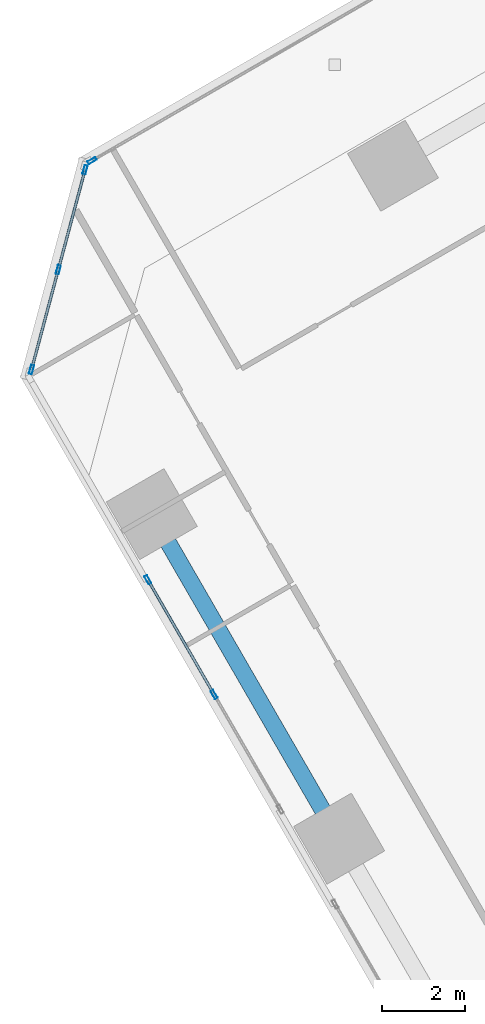
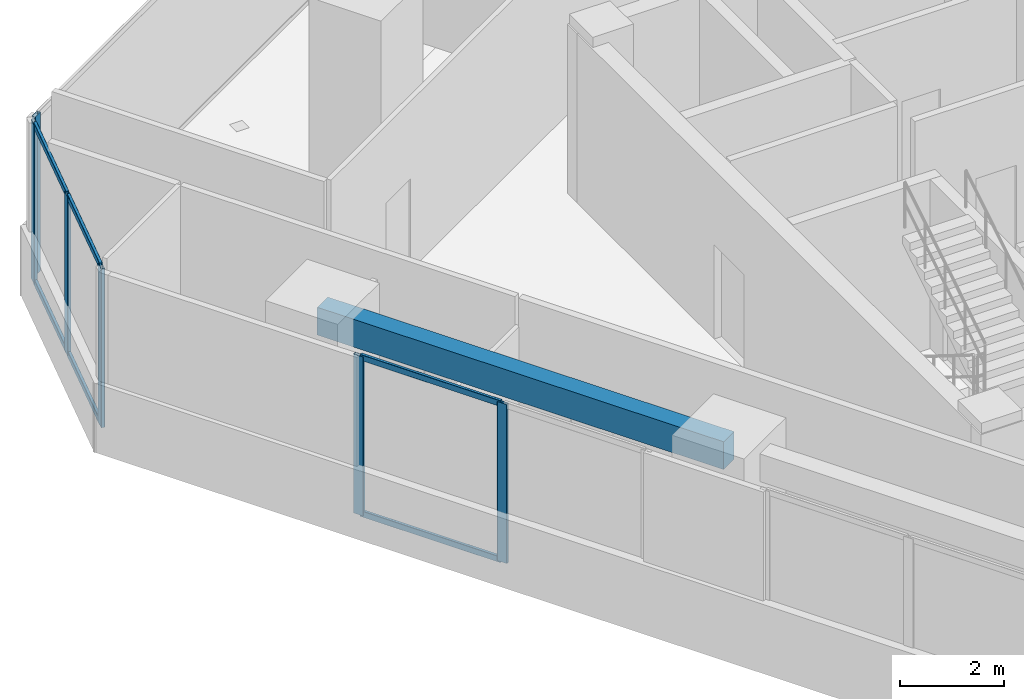
# One storey, part 4 of 16: 12 members, 1 beam, 3 elements without a shape of their own.
"""IFC4 building model written with IfcOpenShell, lengths in metres."""

from ifc_helpers import new_model, si_unit, direction, frame, origin, origin_2d, place, context, subcontext, project, spatial, rectangle, hollow_rectangle, extrude, source, transform, mapped, material, material_profile, profile_set, type_object, element, aggregate, save


model = new_model("IFC4")

# Units and contexts
model_context = context("Model", 3, precision=1e-05, world=origin(), true_north=direction((0.0, 1.0)))
body_context = subcontext(model_context, "Body", "Model", "MODEL_VIEW")
ifc_project = project(units=[si_unit("LENGTHUNIT", "METRE"), si_unit("AREAUNIT", "SQUARE_METRE"), si_unit("VOLUMEUNIT", "CUBIC_METRE"), si_unit("PLANEANGLEUNIT", "RADIAN"), si_unit("MASSUNIT", "GRAM", prefix="KILO")], contexts=[model_context])

# Site, building, storey
site_placement = place(None, origin())
site = spatial("IfcSite", under=ifc_project, at=site_placement, CompositionType="ELEMENT")
building_placement = place(site_placement, origin())
building = spatial("IfcBuilding", under=site, at=building_placement, Name="Torre Montelarca", CompositionType="ELEMENT")
storey_placement = place(building_placement, frame((0.0, 0.0, 319.800048828125)))
storey = spatial("IfcBuildingStorey", under=building, at=storey_placement, Name="L72", CompositionType="ELEMENT", Elevation=319.800048828125)

# Beam
ifc_material_1 = material(Name="Concrete C40/50", Category="concrete")
ifc_material_profile_1 = material_profile(ifc_material_1, rectangle(XDim=0.39990234375, YDim=0.64990234375, at=origin_2d()), Name="RCB400X650", Category="concrete")
ifc_profile_set_1 = profile_set([ifc_material_profile_1], Name="Concrete C40/50")
beam_type = type_object("IfcBeamType", Name="BM-SP-RC650-EXT", PredefinedType="SPANDREL", material=ifc_profile_set_1)
shared_shape_1 = source(origin(), body_context, "Body", "SweptSolid", [
    extrude(rectangle(XDim=0.39990234375, YDim=0.64990234375, at=origin_2d()), origin(), (0.0, 0.0, 1.0), 9.0),
])
beam_placement = place(storey_placement, frame((0.3544921875, 34.225341796875, 3.635009765625), z_axis=(0.5000018851, -0.866024315419, 0.0), x_axis=(0.866024315419, 0.5000018851, 0.0)))
element("IfcBeam", 1, at=beam_placement, inside=storey, type_object=beam_type, Name="L72 Grid Girder X 9.0-18.0 at Y=14.8", PredefinedType="SPANDREL", context=body_context, shape_type="MappedRepresentation", body=[
    mapped(shared_shape_1, transform((0.0, 0.0, 0.0), scale=1.0)),
])

# Curtain wall, members
ifc_material_2 = material(Name="Insulated low-E laminated glass", Category="glass")
curtain_wall_type = type_object("IfcCurtainWallType", Name="CW-SYS-Z4", PredefinedType="USERDEFINED", material=ifc_material_2)
curtain_wall_1_placement = place(storey_placement, origin())
curtain_wall_1 = element("IfcCurtainWall", 2, at=curtain_wall_1_placement, inside=storey, type_object=curtain_wall_type, Name="L72 Curtain Wall Run CW-T3-L72-E01-B1", ObjectType="UNITISED GLAZING", PredefinedType="USERDEFINED")
ifc_material_3 = material(Name="Anodised aluminium AA 6063-T6", Category="aluminium")
ifc_material_profile_2 = material_profile(ifc_material_3, hollow_rectangle(XDim=0.074951171875, YDim=0.219970703125, WallThickness=0.0048828125, InnerFilletRadius=0.0048828125, OuterFilletRadius=0.010009765625, at=origin_2d()), Name="ALU75X220X5", Category="aluminium")
ifc_profile_set_2 = profile_set([ifc_material_profile_2], Name="Anodised aluminium AA 6063-T6")
member_type_1 = type_object("IfcMemberType", Name="CWM-ALU220", PredefinedType="MULLION", material=ifc_profile_set_2)
shared_shape_2 = source(origin(), body_context, "Body", "SweptSolid", [
    extrude(hollow_rectangle(XDim=0.074951171875, YDim=0.219970703125, WallThickness=0.0048828125, InnerFilletRadius=0.0048828125, OuterFilletRadius=0.010009765625, at=origin_2d()), origin(), (0.0, 0.0, 1.0), 3.719970703125),
])
member_1_placement = place(storey_placement, frame((0.259765625, 32.6494140625, 0.0), z_axis=(0.0, 0.0, 1.0), x_axis=(0.866025264018, 0.500000242082, 0.0)))
member_1 = element("IfcMember", 3, at=member_1_placement, type_object=member_type_1, Name="CW mullion 1", PredefinedType="MULLION", context=body_context, shape_type="MappedRepresentation", body=[
    mapped(shared_shape_2, transform((0.0, 0.0, 0.0), scale=1.0)),
])
member_2_placement = place(storey_placement, frame((1.850830078125, 29.893310546875, 0.0), z_axis=(0.0, 0.0, 1.0), x_axis=(0.866025264018, 0.500000242082, 0.0)))
member_2 = element("IfcMember", 4, at=member_2_placement, type_object=member_type_1, Name="CW mullion 2", PredefinedType="MULLION", context=body_context, shape_type="MappedRepresentation", body=[
    mapped(shared_shape_2, transform((0.0, 0.0, 0.0), scale=1.0)),
])

# Curtain wall, member
curtain_wall_2_placement = place(storey_placement, origin())
curtain_wall_2 = element("IfcCurtainWall", 5, at=curtain_wall_2_placement, inside=storey, type_object=curtain_wall_type, Name="L72 Curtain Wall Run CW-T3-L72-E10-B1", ObjectType="UNITISED GLAZING", PredefinedType="USERDEFINED")
member_3_placement = place(storey_placement, frame((-1.079833984375, 42.7158203125, 0.0), z_axis=(0.0, 0.0, 1.0), x_axis=(0.500000111201, -0.866025339582, 0.0)))
member_3 = element("IfcMember", 6, at=member_3_placement, type_object=member_type_1, Name="CW mullion 3", PredefinedType="MULLION", context=body_context, shape_type="MappedRepresentation", body=[
    mapped(shared_shape_2, transform((0.0, 0.0, 0.0), scale=1.0)),
])
aggregate(curtain_wall_2, [member_3])

# Curtain wall, members
curtain_wall_3_placement = place(storey_placement, origin())
curtain_wall_3 = element("IfcCurtainWall", 7, at=curtain_wall_3_placement, inside=storey, type_object=curtain_wall_type, Name="L72 Curtain Wall Run CW-T3-L72-E11-B1", ObjectType="UNITISED GLAZING", PredefinedType="USERDEFINED")
member_4_placement = place(storey_placement, frame((-1.247802734375, 42.49658203125, 0.0), z_axis=(0.0, 0.0, 1.0), x_axis=(0.965926805359, -0.258815391137, 0.0)))
member_4 = element("IfcMember", 8, at=member_4_placement, type_object=member_type_1, Name="CW mullion 1", PredefinedType="MULLION", context=body_context, shape_type="MappedRepresentation", body=[
    mapped(shared_shape_2, transform((0.0, 0.0, 0.0), scale=1.0)),
])
member_5_placement = place(storey_placement, frame((-1.890625, 40.09765625, 0.0), z_axis=(0.0, 0.0, 1.0), x_axis=(0.965926805359, -0.258815391137, 0.0)))
member_5 = element("IfcMember", 9, at=member_5_placement, type_object=member_type_1, Name="CW mullion 2", PredefinedType="MULLION", context=body_context, shape_type="MappedRepresentation", body=[
    mapped(shared_shape_2, transform((0.0, 0.0, 0.0), scale=1.0)),
])
member_6_placement = place(storey_placement, frame((-2.533447265625, 37.69873046875, 0.0), z_axis=(0.0, 0.0, 1.0), x_axis=(0.965926805359, -0.258815391137, 0.0)))
member_6 = element("IfcMember", 10, at=member_6_placement, type_object=member_type_1, Name="CW mullion 3", PredefinedType="MULLION", context=body_context, shape_type="MappedRepresentation", body=[
    mapped(shared_shape_2, transform((0.0, 0.0, 0.0), scale=1.0)),
])
ifc_material_profile_3 = material_profile(ifc_material_3, hollow_rectangle(XDim=0.06494140625, YDim=0.139892578125, WallThickness=0.00390625, InnerFilletRadius=0.00390625, OuterFilletRadius=0.008056640625, at=origin_2d()), Name="ALU65X140X4", Category="aluminium")
ifc_profile_set_3 = profile_set([ifc_material_profile_3], Name="Anodised aluminium AA 6063-T6")
member_type_2 = type_object("IfcMemberType", Name="CWT-ALU140", PredefinedType="USERDEFINED", material=ifc_profile_set_3)
shared_shape_3 = source(origin(), body_context, "Body", "SweptSolid", [
    extrude(hollow_rectangle(XDim=0.06494140625, YDim=0.139892578125, WallThickness=0.00390625, InnerFilletRadius=0.00390625, OuterFilletRadius=0.008056640625, at=origin_2d()), origin(), (0.0, 0.0, 1.0), 2.40869140625),
])
member_7_placement = place(storey_placement, frame((-1.257568359375, 42.46044921875, 0.032470703125), z_axis=(-0.25886105055, -0.965914569984, 0.0), x_axis=(0.965914569984, -0.25886105055, 0.0)))
member_7 = element("IfcMember", 11, at=member_7_placement, type_object=member_type_2, Name="CW transom 1.1", ObjectType="TRANSOM", PredefinedType="USERDEFINED", context=body_context, shape_type="MappedRepresentation", body=[
    mapped(shared_shape_3, transform((0.0, 0.0, 0.0), scale=1.0)),
])
member_8_placement = place(storey_placement, frame((-1.257568359375, 42.46044921875, 3.6875), z_axis=(-0.25886105055, -0.965914569984, 0.0), x_axis=(0.965914569984, -0.25886105055, 0.0)))
member_8 = element("IfcMember", 12, at=member_8_placement, type_object=member_type_2, Name="CW transom 1.2", ObjectType="TRANSOM", PredefinedType="USERDEFINED", context=body_context, shape_type="MappedRepresentation", body=[
    mapped(shared_shape_3, transform((0.0, 0.0, 0.0), scale=1.0)),
])
shared_shape_4 = source(origin(), body_context, "Body", "SweptSolid", [
    extrude(hollow_rectangle(XDim=0.06494140625, YDim=0.139892578125, WallThickness=0.00390625, InnerFilletRadius=0.00390625, OuterFilletRadius=0.008056640625, at=origin_2d()), origin(), (0.0, 0.0, 1.0), 2.408447265625),
])
member_9_placement = place(storey_placement, frame((-1.900390625, 40.061279296875, 0.032470703125), z_axis=(-0.258791820458, -0.965933120699, 0.0), x_axis=(0.965933120699, -0.258791820458, 0.0)))
member_9 = element("IfcMember", 13, at=member_9_placement, type_object=member_type_2, Name="CW transom 2.1", ObjectType="TRANSOM", PredefinedType="USERDEFINED", context=body_context, shape_type="MappedRepresentation", body=[
    mapped(shared_shape_4, transform((0.0, 0.0, 0.0), scale=1.0)),
])
member_10_placement = place(storey_placement, frame((-1.900390625, 40.061279296875, 3.6875), z_axis=(-0.258791820458, -0.965933120699, 0.0), x_axis=(0.965933120699, -0.258791820458, 0.0)))
member_10 = element("IfcMember", 14, at=member_10_placement, type_object=member_type_2, Name="CW transom 2.2", ObjectType="TRANSOM", PredefinedType="USERDEFINED", context=body_context, shape_type="MappedRepresentation", body=[
    mapped(shared_shape_4, transform((0.0, 0.0, 0.0), scale=1.0)),
])
aggregate(curtain_wall_3, [member_4, member_5, member_6, member_7, member_8, member_9, member_10])

# Member
shared_shape_5 = source(origin(), body_context, "Body", "SweptSolid", [
    extrude(hollow_rectangle(XDim=0.06494140625, YDim=0.139892578125, WallThickness=0.00390625, InnerFilletRadius=0.00390625, OuterFilletRadius=0.008056640625, at=origin_2d()), origin(), (0.0, 0.0, 1.0), 3.107421875),
])
member_11_placement = place(storey_placement, frame((0.2783203125, 32.616943359375, 0.032470703125), z_axis=(0.499992220956, -0.866029894971, 0.0), x_axis=(0.866029894971, 0.499992220956, 0.0)))
member_11 = element("IfcMember", 15, at=member_11_placement, type_object=member_type_2, Name="CW transom 1.1", ObjectType="TRANSOM", PredefinedType="USERDEFINED", context=body_context, shape_type="MappedRepresentation", body=[
    mapped(shared_shape_5, transform((0.0, 0.0, 0.0), scale=1.0)),
])

member_12_placement = place(storey_placement, frame((0.2783203125, 32.616943359375, 3.6875), z_axis=(0.499992220956, -0.866029894971, 0.0), x_axis=(0.866029894971, 0.499992220956, 0.0)))
member_12 = element("IfcMember", 16, at=member_12_placement, type_object=member_type_2, Name="CW transom 1.2", ObjectType="TRANSOM", PredefinedType="USERDEFINED", context=body_context, shape_type="MappedRepresentation", body=[
    mapped(shared_shape_5, transform((0.0, 0.0, 0.0), scale=1.0)),
])

aggregate(curtain_wall_1, [member_1, member_2, member_11, member_12])

save(model, "model.ifc")
